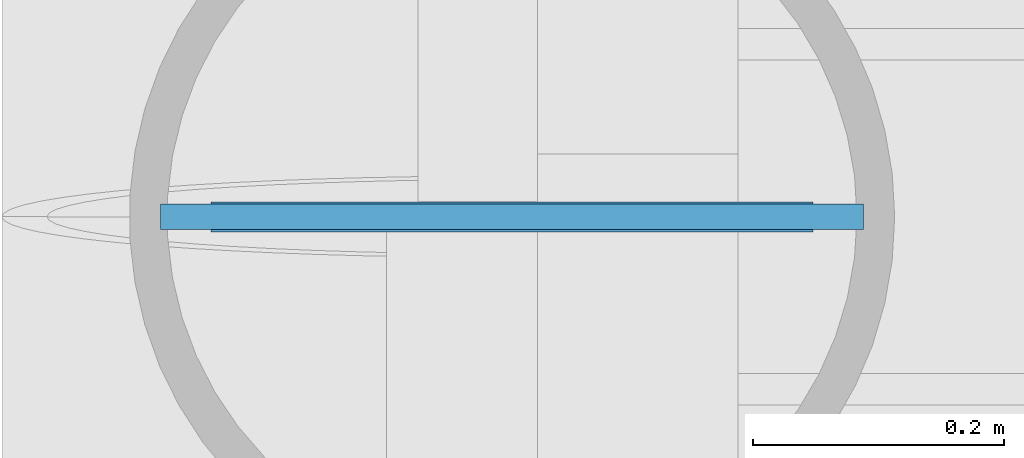
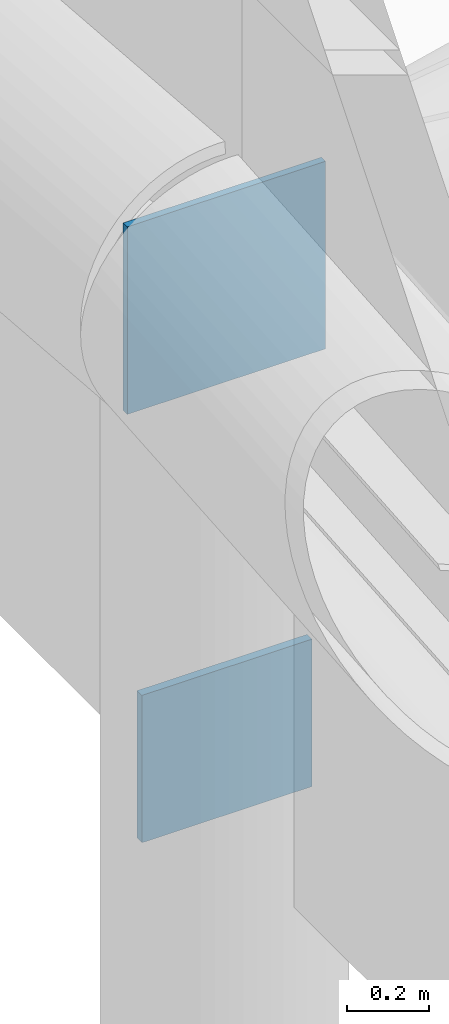
# One storey, part 80 of 113: 2 plates.
"""IFC4 building model written with IfcOpenShell, lengths in metres."""

from ifc_helpers import new_model, si_unit, direction, frame, origin, origin_2d, place, context, subcontext, project, spatial, rectangle, extrude, material, layer, layer_set, type_object, element, save


model = new_model("IFC4")

# Units and contexts
model_context = context("Model", 3, precision=1e-05, world=origin(), true_north=direction((0.0, 1.0)))
body_context = subcontext(model_context, "Body", "Model", "MODEL_VIEW")
ifc_project = project(units=[si_unit("LENGTHUNIT", "METRE"), si_unit("AREAUNIT", "SQUARE_METRE"), si_unit("VOLUMEUNIT", "CUBIC_METRE"), si_unit("PLANEANGLEUNIT", "RADIAN"), si_unit("MASSUNIT", "GRAM", prefix="KILO")], contexts=[model_context])

# Site, building, storey
site_placement = place(None, origin())
site = spatial("IfcSite", under=ifc_project, at=site_placement, CompositionType="ELEMENT")
building_placement = place(site_placement, origin())
building = spatial("IfcBuilding", under=site, at=building_placement, Name="Linyun Crest Stadium", CompositionType="ELEMENT")
storey_placement = place(building_placement, frame((0.0, 0.0, 26.39990234375)))
storey = spatial("IfcBuildingStorey", under=building, at=storey_placement, Name="L06", CompositionType="ELEMENT", Elevation=26.39990234375)

# Plates
ifc_material_1 = material(Name="Steel Q355C", Category="steel")
ifc_layer_1 = layer(ifc_material_1, 0.02001953125)
ifc_layer_set_1 = layer_set([ifc_layer_1], Name="Steel Q355C")
plate_type_1 = type_object("IfcPlateType", Name="EP01", PredefinedType="USERDEFINED", material=ifc_layer_set_1)
plate_1_placement = place(storey_placement, frame((35.5, 2.125, 6.27294921875), z_axis=(0.0, 0.0, 1.0), x_axis=(1.0, 0.0, 0.0)))
element("IfcPlate", 1, at=plate_1_placement, inside=storey, type_object=plate_type_1, Name="Canopy tip tube end plate EP01 162", ObjectType="END PLATE", PredefinedType="USERDEFINED", context=body_context, shape_type="SweptSolid", body=[
    extrude(rectangle(XDim=0.56005859375, YDim=0.02001953125, at=origin_2d()), origin(), (0.0, 0.0, 1.0), 0.56005859375),
])
ifc_material_2 = material(Name="Steel Q355C", Category="steel")
ifc_layer_2 = layer(ifc_material_2, 0.02392578125)
ifc_layer_set_2 = layer_set([ifc_layer_2], Name="Steel Q355C")
plate_type_2 = type_object("IfcPlateType", Name="NP01", PredefinedType="USERDEFINED", material=ifc_layer_set_2)
plate_2_placement = place(storey_placement, frame((35.5, 2.125, 4.981201171875), z_axis=(0.0, 0.0, 1.0), x_axis=(1.0, 0.0, 0.0)))
element("IfcPlate", 2, at=plate_2_placement, inside=storey, type_object=plate_type_2, Name="Roof bottom-chord node gusset plate NP01 168", ObjectType="GUSSET PLATE", PredefinedType="USERDEFINED", context=body_context, shape_type="SweptSolid", body=[
    extrude(rectangle(XDim=0.47998046875, YDim=0.02392578125, at=origin_2d()), origin(), (0.0, 0.0, 1.0), 0.43994140625),
])

save(model, "model.ifc")
